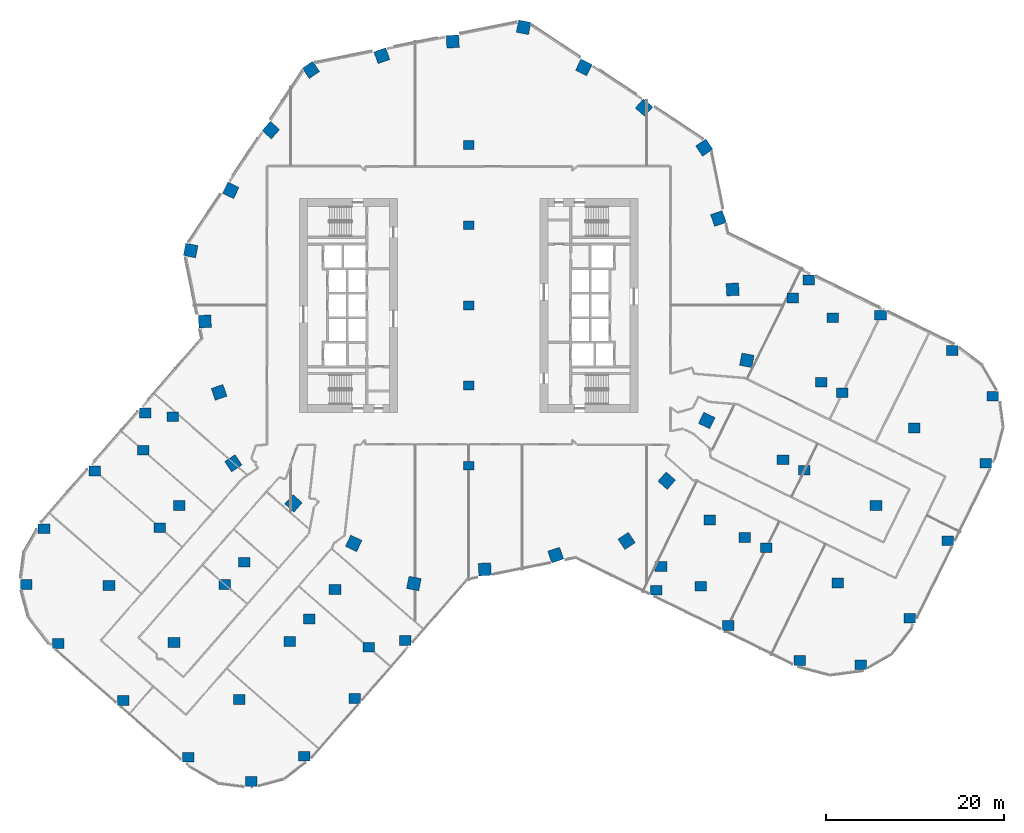
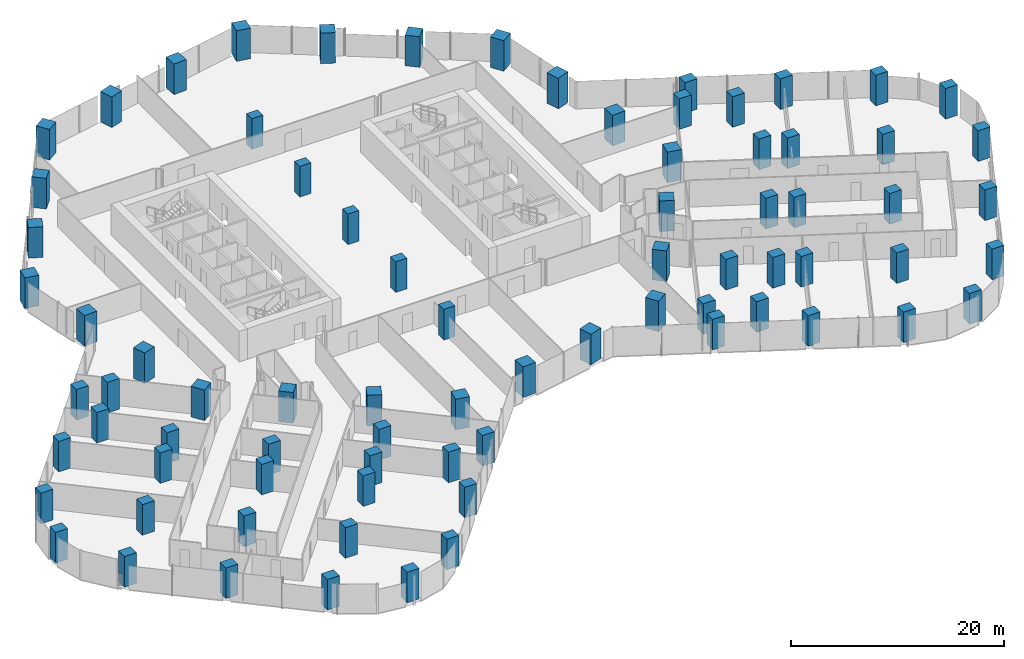
# One storey, part 1 of 38: 78 columns.
"""IFC4 building model written with IfcOpenShell, lengths in metres."""

from ifc_helpers import new_model, si_unit, direction, frame, origin, origin_2d, place, context, subcontext, project, spatial, rectangle, extrude, material, material_profile, profile_set, type_object, element, save


model = new_model("IFC4")

# Units and contexts
model_context = context("Model", 3, precision=1e-05, world=origin(), true_north=direction((0.0, 1.0)))
body_context = subcontext(model_context, "Body", "Model", "MODEL_VIEW")
ifc_project = project(units=[si_unit("LENGTHUNIT", "METRE"), si_unit("AREAUNIT", "SQUARE_METRE"), si_unit("VOLUMEUNIT", "CUBIC_METRE"), si_unit("PLANEANGLEUNIT", "RADIAN"), si_unit("MASSUNIT", "GRAM", prefix="KILO")], contexts=[model_context])

# Site, building, storey
site_placement = place(None, origin())
site = spatial("IfcSite", under=ifc_project, at=site_placement, CompositionType="ELEMENT")
building_placement = place(site_placement, origin())
building = spatial("IfcBuilding", under=site, at=building_placement, Name="Orlundy Tower", CompositionType="ELEMENT")
storey_placement = place(building_placement, frame((0.0, 0.0, 72.800048828125)))
storey = spatial("IfcBuildingStorey", under=building, at=storey_placement, Name="L17", CompositionType="ELEMENT", Elevation=72.800048828125)

# Columns
ifc_material_1 = material(Name="Concrete C80/95", Category="concrete")
ifc_material_profile_1 = material_profile(ifc_material_1, rectangle(XDim=1.199951171875, YDim=1.0, at=origin_2d()), Name="RC1200X1000")
ifc_profile_set_1 = profile_set([ifc_material_profile_1], Name="Concrete C80/95")
column_type_1 = type_object("IfcColumnType", Name="RC COLUMN RC1200X1000 C80/95", PredefinedType="COLUMN", material=ifc_profile_set_1)
for number, where, z_axis, x_axis, name in (
    (1, (0.0, -18.0, 0.0), (0.0, 0.0, 1.0), (1.0, 0.0, 0.0), "Column C-M1 L17"),
    (2, (0.0, -9.0, 0.0), (0.0, 0.0, 1.0), (1.0, 0.0, 0.0), "Column C-M2 L17"),
    (3, (0.0, 0.0, 0.0), (0.0, 0.0, 1.0), (1.0, 0.0, 0.0), "Column C-M3 L17"),
    (4, (0.0, 9.0, 0.0), (0.0, 0.0, 1.0), (1.0, 0.0, 0.0), "Column C-M4 L17"),
    (5, (0.0, 18.0, 0.0), (0.0, 0.0, 1.0), (1.0, 0.0, 0.0), "Column C-M5 L17"),
):
    element("IfcColumn", number, at=place(storey_placement, frame(where, z_axis=z_axis, x_axis=x_axis)), inside=storey, type_object=column_type_1, Name=name, PredefinedType="COLUMN", context=body_context, shape_type="SweptSolid", body=[
        extrude(rectangle(XDim=1.199951171875, YDim=1.0, at=origin_2d()), origin(), (0.0, 0.0, 1.0), 3.5),
    ])
ifc_material_2 = material(Name="Concrete C80/95", Category="concrete")
ifc_material_profile_2 = material_profile(ifc_material_2, rectangle(XDim=1.300048828125, YDim=1.10009765625, at=origin_2d()), Name="RC1300X1100")
ifc_profile_set_2 = profile_set([ifc_material_profile_2], Name="Concrete C80/95")
column_type_2 = type_object("IfcColumnType", Name="RC COLUMN RC1300X1100 C80/95", PredefinedType="COLUMN", material=ifc_profile_set_2)
for number, where, z_axis, x_axis, name in (
    (6, (21.06298828125, -31.964111328125, 0.0), (0.0, 0.0, 1.0), (1.0, 0.0, 0.0), "Column C-A1-1 L17"),
    (7, (29.111083984375, -35.91796875, 0.0), (0.0, 0.0, 1.0), (1.0, 0.0, 0.0), "Column C-A1-2 L17"),
    (8, (37.157958984375, -39.873046875, 0.0), (0.0, 0.0, 1.0), (1.0, 0.0, 0.0), "Column C-A1-3 L17"),
    (9, (44.01611328125, -40.337890625, 0.0), (0.0, 0.0, 1.0), (1.0, 0.0, 0.0), "Column C-A1-5 L17"),
    (10, (26.06591796875, -31.51806640625, 0.0), (0.0, 0.0, 1.0), (1.0, 0.0, 0.0), "Column C-A1-6 L17"),
    (11, (21.577880859375, -29.31298828125, 0.0), (0.0, 0.0, 1.0), (1.0, 0.0, 0.0), "Column C-A1-7 L17"),
    (12, (33.387939453125, -27.212890625, 0.0), (0.0, 0.0, 1.0), (1.0, 0.0, 0.0), "Column C-A2-2 L17"),
    (13, (41.43603515625, -31.1669921875, 0.0), (0.0, 0.0, 1.0), (1.0, 0.0, 0.0), "Column C-A2-3 L17"),
    (14, (49.48388671875, -35.12109375, 0.0), (0.0, 0.0, 1.0), (1.0, 0.0, 0.0), "Column C-A2-5 L17"),
    (15, (30.9951171875, -26.037109375, 0.0), (0.0, 0.0, 1.0), (1.0, 0.0, 0.0), "Column C-A2-6 L17"),
    (16, (27.0458984375, -24.095947265625, 0.0), (0.0, 0.0, 1.0), (1.0, 0.0, 0.0), "Column C-A2-7 L17"),
    (17, (37.666015625, -18.507080078125, 0.0), (0.0, 0.0, 1.0), (1.0, 0.0, 0.0), "Column C-A3-2 L17"),
    (18, (45.712890625, -22.4609375, 0.0), (0.0, 0.0, 1.0), (1.0, 0.0, 0.0), "Column C-A3-3 L17"),
    (19, (53.760986328125, -26.4150390625, 0.0), (0.0, 0.0, 1.0), (1.0, 0.0, 0.0), "Column C-A3-5 L17"),
    (20, (35.27197265625, -17.3310546875, 0.0), (0.0, 0.0, 1.0), (1.0, 0.0, 0.0), "Column C-A3-6 L17"),
    (21, (41.943115234375, -9.801025390625, 0.0), (0.0, 0.0, 1.0), (1.0, 0.0, 0.0), "Column C-A4-2 L17"),
    (22, (49.990966796875, -13.7548828125, 0.0), (0.0, 0.0, 1.0), (1.0, 0.0, 0.0), "Column C-A4-3 L17"),
    (23, (58.0390625, -17.708984375, 0.0), (0.0, 0.0, 1.0), (1.0, 0.0, 0.0), "Column C-A4-5 L17"),
    (24, (39.550048828125, -8.625, 0.0), (0.0, 0.0, 1.0), (1.0, 0.0, 0.0), "Column C-A4-6 L17"),
    (25, (38.173095703125, 2.85888671875, 0.0), (0.0, 0.0, 1.0), (1.0, 0.0, 0.0), "Column C-A5-1 L17"),
    (26, (46.220947265625, -1.094970703125, 0.0), (0.0, 0.0, 1.0), (1.0, 0.0, 0.0), "Column C-A5-2 L17"),
    (27, (54.26904296875, -5.049072265625, 0.0), (0.0, 0.0, 1.0), (1.0, 0.0, 0.0), "Column C-A5-3 L17"),
    (28, (58.826904296875, -10.193115234375, 0.0), (0.0, 0.0, 1.0), (1.0, 0.0, 0.0), "Column C-A5-5 L17"),
    (29, (40.876953125, -1.3740234375, 0.0), (0.0, 0.0, 1.0), (1.0, 0.0, 0.0), "Column C-A5-6 L17"),
    (30, (36.388916015625, 0.8310546875, 0.0), (0.0, 0.0, 1.0), (1.0, 0.0, 0.0), "Column C-A5-7 L17"),
    (31, (-36.326904296875, -12.072021484375, 0.0), (0.0, 0.0, 1.0), (1.0, 0.0, 0.0), "Column C-B1-1 L17"),
    (32, (-42.009033203125, -18.571044921875, 0.0), (0.0, 0.0, 1.0), (1.0, 0.0, 0.0), "Column C-B1-2 L17"),
    (33, (-47.68896484375, -25.072998046875, 0.0), (0.0, 0.0, 1.0), (1.0, 0.0, 0.0), "Column C-B1-3 L17"),
    (34, (-49.697021484375, -31.322998046875, 0.0), (0.0, 0.0, 1.0), (1.0, 0.0, 0.0), "Column C-B1-5 L17"),
    (35, (-36.531982421875, -16.26708984375, 0.0), (0.0, 0.0, 1.0), (1.0, 0.0, 0.0), "Column C-B1-6 L17"),
    (36, (-33.240966796875, -12.5029296875, 0.0), (0.0, 0.0, 1.0), (1.0, 0.0, 0.0), "Column C-B1-7 L17"),
    (37, (-34.70703125, -24.9560546875, 0.0), (0.0, 0.0, 1.0), (1.0, 0.0, 0.0), "Column C-B2-2 L17"),
    (38, (-40.389892578125, -31.4560546875, 0.0), (0.0, 0.0, 1.0), (1.0, 0.0, 0.0), "Column C-B2-3 L17"),
    (39, (-46.072998046875, -37.955078125, 0.0), (0.0, 0.0, 1.0), (1.0, 0.0, 0.0), "Column C-B2-5 L17"),
    (40, (-32.512939453125, -22.447021484375, 0.0), (0.0, 0.0, 1.0), (1.0, 0.0, 0.0), "Column C-B2-6 L17"),
    (41, (-27.405029296875, -31.341064453125, 0.0), (0.0, 0.0, 1.0), (1.0, 0.0, 0.0), "Column C-B3-2 L17"),
    (42, (-33.087890625, -37.841064453125, 0.0), (0.0, 0.0, 1.0), (1.0, 0.0, 0.0), "Column C-B3-3 L17"),
    (43, (-38.77099609375, -44.340087890625, 0.0), (0.0, 0.0, 1.0), (1.0, 0.0, 0.0), "Column C-B3-5 L17"),
    (44, (-25.2109375, -28.83203125, 0.0), (0.0, 0.0, 1.0), (1.0, 0.0, 0.0), "Column C-B3-6 L17"),
    (45, (-20.10302734375, -37.72705078125, 0.0), (0.0, 0.0, 1.0), (1.0, 0.0, 0.0), "Column C-B4-2 L17"),
    (46, (-25.785888671875, -44.22607421875, 0.0), (0.0, 0.0, 1.0), (1.0, 0.0, 0.0), "Column C-B4-3 L17"),
    (47, (-31.468994140625, -50.72509765625, 0.0), (0.0, 0.0, 1.0), (1.0, 0.0, 0.0), "Column C-B4-5 L17"),
    (48, (-17.908935546875, -35.217041015625, 0.0), (0.0, 0.0, 1.0), (1.0, 0.0, 0.0), "Column C-B4-6 L17"),
    (49, (-15.012939453125, -31.905029296875, 0.0), (0.0, 0.0, 1.0), (1.0, 0.0, 0.0), "Column C-B4-7 L17"),
    (50, (-7.117919921875, -37.612060546875, 0.0), (0.0, 0.0, 1.0), (1.0, 0.0, 0.0), "Column C-B5-1 L17"),
    (51, (-12.801025390625, -44.112060546875, 0.0), (0.0, 0.0, 1.0), (1.0, 0.0, 0.0), "Column C-B5-2 L17"),
    (52, (-18.487060546875, -50.60791015625, 0.0), (0.0, 0.0, 1.0), (1.0, 0.0, 0.0), "Column C-B5-3 L17"),
    (53, (-24.4130859375, -53.431884765625, 0.0), (0.0, 0.0, 1.0), (1.0, 0.0, 0.0), "Column C-B5-5 L17"),
    (54, (-11.248046875, -38.3759765625, 0.0), (0.0, 0.0, 1.0), (1.0, 0.0, 0.0), "Column C-B5-6 L17"),
):
    element("IfcColumn", number, at=place(storey_placement, frame(where, z_axis=z_axis, x_axis=x_axis)), inside=storey, type_object=column_type_2, Name=name, PredefinedType="COLUMN", context=body_context, shape_type="SweptSolid", body=[
        extrude(rectangle(XDim=1.300048828125, YDim=1.10009765625, at=origin_2d()), origin(), (0.0, 0.0, 1.0), 3.5),
    ])
ifc_material_3 = material(Name="Concrete C80/95", Category="concrete")
ifc_material_profile_3 = material_profile(ifc_material_3, rectangle(XDim=1.39990234375, YDim=1.39990234375, at=origin_2d()), Name="RC1400X1400")
ifc_profile_set_3 = profile_set([ifc_material_profile_3], Name="Concrete C80/95")
column_type_3 = type_object("IfcColumnType", Name="RC COLUMN RC1400X1400 C80/95", PredefinedType="COLUMN", material=ifc_profile_set_3)
for number, where, z_axis, x_axis, name in (
    (55, (26.43408203125, 17.718017578125, 0.0), (0.0, 0.0, 1.0), (0.830663928188, 0.5567741359, 0.0), "Column C-H01 L17"),
    (56, (28.029052734375, 9.758056640625, 0.0), (0.0, 0.0, 1.0), (0.94440506567, 0.328784233101, 0.0), "Column C-H02 L17"),
    (57, (29.6240234375, 1.797119140625, 0.0), (0.0, 0.0, 1.0), (0.99816557001, 0.060543330317, 0.0), "Column C-H03 L17"),
    (58, (31.219970703125, -6.1630859375, 0.0), (0.0, 0.0, 1.0), (0.981066863593, -0.193669329425, 0.0), "Column C-H04 L17"),
    (59, (26.718994140625, -12.919921875, 0.0), (0.0, 0.0, 1.0), (0.900273189172, -0.435325378147, 0.0), "Column C-H05 L17"),
    (60, (22.218994140625, -19.677001953125, 0.0), (0.0, 0.0, 1.0), (0.748631814126, -0.66298597789, 0.0), "Column C-H06 L17"),
    (61, (17.718017578125, -26.43408203125, 0.0), (0.0, 0.0, 1.0), (0.5567741359, -0.830663928188, 0.0), "Column C-H07 L17"),
    (62, (9.758056640625, -28.029052734375, 0.0), (0.0, 0.0, 1.0), (0.328784233101, -0.94440506567, 0.0), "Column C-H08 L17"),
    (63, (1.797119140625, -29.6240234375, 0.0), (0.0, 0.0, 1.0), (0.060543330317, -0.99816557001, 0.0), "Column C-H09 L17"),
    (64, (-6.1630859375, -31.219970703125, 0.0), (0.0, 0.0, 1.0), (-0.193669329425, -0.981066863593, 0.0), "Column C-H10 L17"),
    (65, (-12.919921875, -26.718994140625, 0.0), (0.0, 0.0, 1.0), (-0.435325378147, -0.900273189172, 0.0), "Column C-H11 L17"),
    (66, (-19.677001953125, -22.218994140625, 0.0), (0.0, 0.0, 1.0), (-0.66298597789, -0.748631814126, 0.0), "Column C-H12 L17"),
    (67, (-26.43408203125, -17.718017578125, 0.0), (0.0, 0.0, 1.0), (-0.830663928188, -0.5567741359, 0.0), "Column C-H13 L17"),
    (68, (-28.029052734375, -9.758056640625, 0.0), (0.0, 0.0, 1.0), (-0.94440506567, -0.328784233101, 0.0), "Column C-H14 L17"),
    (69, (-29.6240234375, -1.797119140625, 0.0), (0.0, 0.0, 1.0), (-0.99816557001, -0.060543330317, 0.0), "Column C-H15 L17"),
    (70, (-31.219970703125, 6.1630859375, 0.0), (0.0, 0.0, 1.0), (-0.981066863593, 0.193669329425, 0.0), "Column C-H16 L17"),
    (71, (-26.718994140625, 12.919921875, 0.0), (0.0, 0.0, 1.0), (-0.900273189172, 0.435325378147, 0.0), "Column C-H17 L17"),
    (72, (-22.218994140625, 19.677001953125, 0.0), (0.0, 0.0, 1.0), (-0.748631814126, 0.66298597789, 0.0), "Column C-H18 L17"),
    (73, (-17.718017578125, 26.43408203125, 0.0), (0.0, 0.0, 1.0), (-0.5567741359, 0.830663928188, 0.0), "Column C-H19 L17"),
    (74, (-9.758056640625, 28.029052734375, 0.0), (0.0, 0.0, 1.0), (-0.328784233101, 0.94440506567, 0.0), "Column C-H20 L17"),
    (75, (-1.797119140625, 29.6240234375, 0.0), (0.0, 0.0, 1.0), (-0.060543330317, 0.99816557001, 0.0), "Column C-H21 L17"),
    (76, (6.1630859375, 31.219970703125, 0.0), (0.0, 0.0, 1.0), (0.193669329425, 0.981066863593, 0.0), "Column C-H22 L17"),
    (77, (12.919921875, 26.718994140625, 0.0), (0.0, 0.0, 1.0), (0.435325378147, 0.900273189172, 0.0), "Column C-H23 L17"),
    (78, (19.677001953125, 22.218994140625, 0.0), (0.0, 0.0, 1.0), (0.66298597789, 0.748631814126, 0.0), "Column C-H24 L17"),
):
    element("IfcColumn", number, at=place(storey_placement, frame(where, z_axis=z_axis, x_axis=x_axis)), inside=storey, type_object=column_type_3, Name=name, PredefinedType="COLUMN", context=body_context, shape_type="SweptSolid", body=[
        extrude(rectangle(XDim=1.39990234375, YDim=1.39990234375, at=origin_2d()), origin(), (0.0, 0.0, 1.0), 3.5),
    ])

save(model, "model.ifc")
